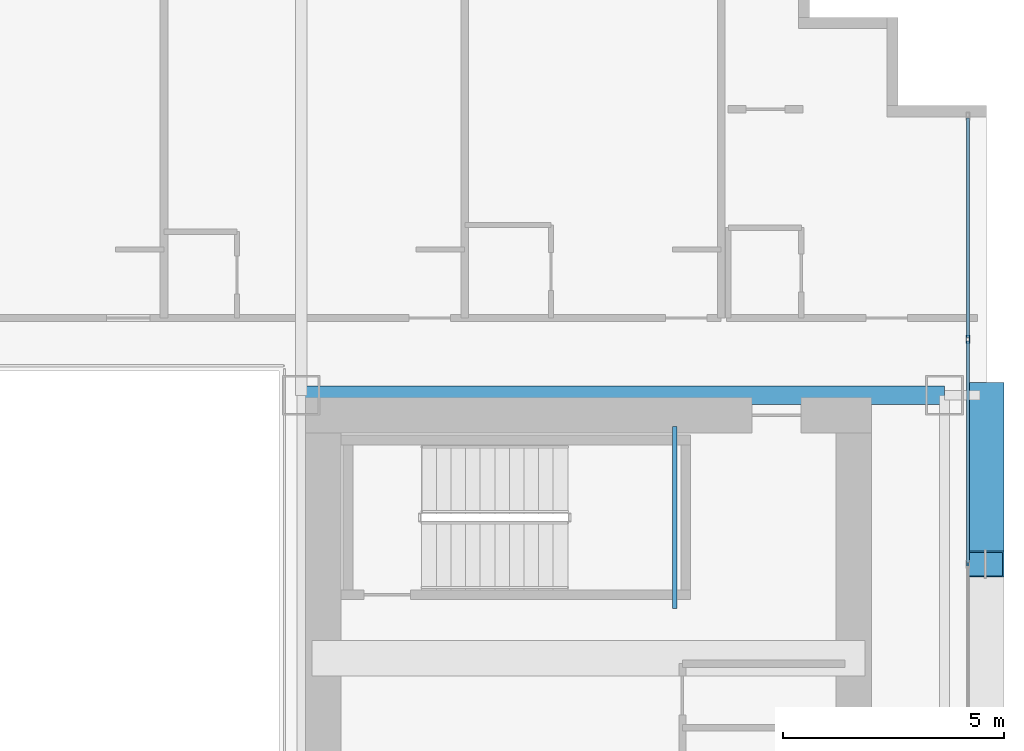
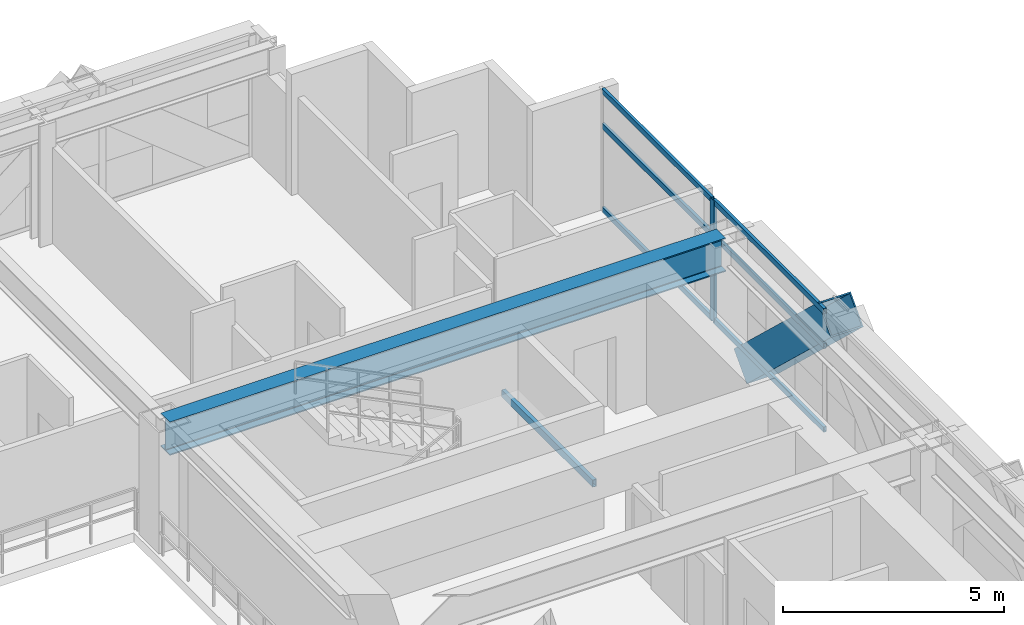
# One storey, part 20 of 35: 8 members, 2 beams, 1 element without a shape of its own.
"""IFC4 building model written with IfcOpenShell, lengths in metres."""

from ifc_helpers import new_model, si_unit, direction, frame, origin, origin_2d, place, context, subcontext, project, spatial, hollow_rectangle, i_section, extrude, source, transform, mapped, material, layer, layer_set, material_profile, profile_set, type_object, element, aggregate, save


model = new_model("IFC4")

# Units and contexts
model_context = context("Model", 3, precision=1e-05, world=origin(), true_north=direction((0.0, 1.0)))
body_context = subcontext(model_context, "Body", "Model", "MODEL_VIEW")
ifc_project = project(units=[si_unit("LENGTHUNIT", "METRE"), si_unit("AREAUNIT", "SQUARE_METRE"), si_unit("VOLUMEUNIT", "CUBIC_METRE"), si_unit("PLANEANGLEUNIT", "RADIAN"), si_unit("MASSUNIT", "GRAM", prefix="KILO")], contexts=[model_context])

# Site, building, storey
site_placement = place(None, origin())
site = spatial("IfcSite", under=ifc_project, at=site_placement, CompositionType="ELEMENT")
building_placement = place(site_placement, origin())
building = spatial("IfcBuilding", under=site, at=building_placement, Name="Ocotamira Hotel", CompositionType="ELEMENT")
storey_placement = place(building_placement, frame((0.0, 0.0, 63.60009765625)))
storey = spatial("IfcBuildingStorey", under=building, at=storey_placement, Name="L15", CompositionType="ELEMENT", Elevation=63.60009765625)

# Beams
ifc_material_1 = material(Name="Steel ASTM A500 Grade C", Category="steel")
ifc_material_profile_1 = material_profile(ifc_material_1, hollow_rectangle(XDim=0.10009765625, YDim=0.199951171875, WallThickness=0.008056640625, at=origin_2d()), Name="HSS200X100X8")
ifc_profile_set_1 = profile_set([ifc_material_profile_1], Name="Steel ASTM A500 Grade C")
beam_type_1 = type_object("IfcBeamType", Name="BM-STLDG-HSS200", PredefinedType="BEAM", material=ifc_profile_set_1)
shared_shape_1 = source(origin(), body_context, "Body", "SweptSolid", [
    extrude(hollow_rectangle(XDim=0.10009765625, YDim=0.199951171875, WallThickness=0.008056640625, at=origin_2d()), origin(), (0.0, 0.0, 1.0), 4.1201171875),
])
beam_1_placement = place(storey_placement, frame((48.949951171875, 32.6298828125, 1.5), z_axis=(0.0, 1.0, 0.0), x_axis=(-1.0, 0.0, 0.0)))
element("IfcBeam", 1, at=beam_1_placement, inside=storey, type_object=beam_type_1, Name="L15 Stair ST-4 Landing Bearer 1", PredefinedType="BEAM", context=body_context, shape_type="MappedRepresentation", body=[
    mapped(shared_shape_1, transform((0.0, 0.0, 0.0), scale=1.0)),
])
ifc_material_2 = material(Name="Steel ASTM A992 Grade 50", Category="steel")
ifc_material_profile_2 = material_profile(ifc_material_2, i_section(OverallWidth=0.41796875, OverallDepth=0.927001953125, WebThickness=0.019287109375, FlangeThickness=0.031982421875, FilletRadius=0.02392578125, at=origin_2d()), Name="W36X231")
ifc_profile_set_2 = profile_set([ifc_material_profile_2], Name="Steel ASTM A992 Grade 50")
beam_type_2 = type_object("IfcBeamType", Name="BM-GIRD-W36X231", PredefinedType="BEAM", material=ifc_profile_set_2)
shared_shape_2 = source(origin(), body_context, "Body", "SweptSolid", [
    extrude(i_section(OverallWidth=0.41796875, OverallDepth=0.927001953125, WebThickness=0.019287109375, FlangeThickness=0.031982421875, FilletRadius=0.02392578125, at=origin_2d()), origin(), (0.0, 0.0, 1.0), 14.550048828125),
])
beam_2_placement = place(storey_placement, frame((40.5, 37.449951171875, 2.886474609375), z_axis=(1.0, 0.0, 0.0), x_axis=(0.0, 1.0, 0.0)))
element("IfcBeam", 2, at=beam_2_placement, inside=storey, type_object=beam_type_2, Name="L15 Girder Y37.45 X40.5-55.05", PredefinedType="BEAM", context=body_context, shape_type="MappedRepresentation", body=[
    mapped(shared_shape_2, transform((0.0, 0.0, 0.0), scale=1.0)),
])

# Member
ifc_material_3 = material(Name="Pale-metal coated steel ASTM A913 Grade 65", Category="steel")
ifc_material_profile_3 = material_profile(ifc_material_3, hollow_rectangle(XDim=0.85009765625, YDim=0.85009765625, WallThickness=0.035888671875, at=origin_2d()), Name="BOX850X850X36")
ifc_profile_set_3 = profile_set([ifc_material_profile_3], Name="Pale-metal coated steel ASTM A913 Grade 65")
member_type_1 = type_object("IfcMemberType", Name="MEM-EXO-BOX850", PredefinedType="BRACE", material=ifc_profile_set_3)
shared_shape_3 = source(origin(), body_context, "Body", "SweptSolid", [
    extrude(hollow_rectangle(XDim=0.85009765625, YDim=0.85009765625, WallThickness=0.035888671875, at=origin_2d()), origin(), (0.0, 0.0, 1.0), 5.24658203125),
])
member_1_placement = place(storey_placement, frame((55.969970703125, 37.449951171875, -0.5), z_axis=(0.0, -0.72746596067, 0.686143772154), x_axis=(1.0, 0.0, 0.0)))
element("IfcMember", 3, at=member_1_placement, inside=storey, type_object=member_type_1, Name="L15 Exoskeleton Diagrid E2.2", PredefinedType="BRACE", context=body_context, shape_type="MappedRepresentation", body=[
    mapped(shared_shape_3, transform((0.0, 0.0, 0.0), scale=1.0)),
])

# Curtain wall, members
ifc_material_4 = material(Name="Anodised pale-metal aluminium and solar glass", Category="aluminium")
ifc_layer = layer(ifc_material_4, 0.179931640625)
ifc_layer_set = layer_set([ifc_layer], Name="Anodised pale-metal aluminium and solar glass")
curtain_wall_type = type_object("IfcCurtainWallType", Name="CW-SYS2-Z1", PredefinedType="NOTDEFINED", material=ifc_layer_set)
curtain_wall_placement = place(storey_placement, origin())
curtain_wall = element("IfcCurtainWall", 4, at=curtain_wall_placement, inside=storey, type_object=curtain_wall_type, Name="L15 Curtain Wall CW-2 CW-L15-E", PredefinedType="NOTDEFINED")
ifc_material_5 = material(Name="Anodised pale-metal aluminium 6063-T6", Category="aluminium")
ifc_material_profile_4 = material_profile(ifc_material_5, hollow_rectangle(XDim=0.080078125, YDim=0.179931640625, WallThickness=0.006103515625, at=origin_2d()), Name="HSS180X80X6")
ifc_profile_set_4 = profile_set([ifc_material_profile_4], Name="Anodised pale-metal aluminium 6063-T6")
member_type_2 = type_object("IfcMemberType", Name="CWM-180X75", PredefinedType="MULLION", material=ifc_profile_set_4)
shared_shape_4 = source(origin(), body_context, "Body", "SweptSolid", [
    extrude(hollow_rectangle(XDim=0.080078125, YDim=0.179931640625, WallThickness=0.006103515625, at=origin_2d()), origin(), (0.0, 0.0, 1.0), 3.349853515625),
])
member_2_placement = place(storey_placement, frame((55.580078125, 38.71435546875, 0.0), z_axis=(0.0, 0.0, 1.0), x_axis=(-1.0, 0.0, 0.0)))
member_2 = element("IfcMember", 5, at=member_2_placement, type_object=member_type_2, Name="CW-2 mullion 7", PredefinedType="MULLION", context=body_context, shape_type="MappedRepresentation", body=[
    mapped(shared_shape_4, transform((0.0, 0.0, 0.0), scale=1.0)),
])
ifc_material_profile_5 = material_profile(ifc_material_5, hollow_rectangle(XDim=0.074951171875, YDim=0.14990234375, WallThickness=0.006103515625, at=origin_2d()), Name="HSS150X75X6")
ifc_profile_set_5 = profile_set([ifc_material_profile_5], Name="Anodised pale-metal aluminium 6063-T6")
member_type_3 = type_object("IfcMemberType", Name="CWT-150X75", PredefinedType="USERDEFINED", material=ifc_profile_set_5)
shared_shape_5 = source(origin(), body_context, "Body", "SweptSolid", [
    extrude(hollow_rectangle(XDim=0.074951171875, YDim=0.14990234375, WallThickness=0.006103515625, at=origin_2d()), origin(), (0.0, 0.0, 1.0), 4.965576171875),
])
member_3_placement = place(storey_placement, frame((55.580078125, 38.75439453125, 0.037353515625), z_axis=(0.0, 1.0, 0.0), x_axis=(-1.0, 0.0, 0.0)))
member_3 = element("IfcMember", 6, at=member_3_placement, type_object=member_type_3, Name="CW-2 transom 7.1", ObjectType="TRANSOM", PredefinedType="USERDEFINED", context=body_context, shape_type="MappedRepresentation", body=[
    mapped(shared_shape_5, transform((0.0, 0.0, 0.0), scale=1.0)),
])
member_4_placement = place(storey_placement, frame((55.580078125, 38.75439453125, 2.349853515625), z_axis=(0.0, 1.0, 0.0), x_axis=(-1.0, 0.0, 0.0)))
member_4 = element("IfcMember", 7, at=member_4_placement, type_object=member_type_3, Name="CW-2 transom 7.2", ObjectType="TRANSOM", PredefinedType="USERDEFINED", context=body_context, shape_type="MappedRepresentation", body=[
    mapped(shared_shape_5, transform((0.0, 0.0, 0.0), scale=1.0)),
])
member_5_placement = place(storey_placement, frame((55.580078125, 38.75439453125, 3.3125), z_axis=(0.0, 1.0, 0.0), x_axis=(-1.0, 0.0, 0.0)))
member_5 = element("IfcMember", 8, at=member_5_placement, type_object=member_type_3, Name="CW-2 transom 7.3", ObjectType="TRANSOM", PredefinedType="USERDEFINED", context=body_context, shape_type="MappedRepresentation", body=[
    mapped(shared_shape_5, transform((0.0, 0.0, 0.0), scale=1.0)),
])
shared_shape_6 = source(origin(), body_context, "Body", "SweptSolid", [
    extrude(hollow_rectangle(XDim=0.074951171875, YDim=0.14990234375, WallThickness=0.006103515625, at=origin_2d()), origin(), (0.0, 0.0, 1.0), 5.005859375),
])
member_6_placement = place(storey_placement, frame((55.580078125, 33.66845703125, 0.037353515625), z_axis=(0.0, 1.0, 0.0), x_axis=(-1.0, 0.0, 0.0)))
member_6 = element("IfcMember", 9, at=member_6_placement, type_object=member_type_3, Name="CW-2 transom 6.1", ObjectType="TRANSOM", PredefinedType="USERDEFINED", context=body_context, shape_type="MappedRepresentation", body=[
    mapped(shared_shape_6, transform((0.0, 0.0, 0.0), scale=1.0)),
])
member_7_placement = place(storey_placement, frame((55.580078125, 33.66845703125, 2.349853515625), z_axis=(0.0, 1.0, 0.0), x_axis=(-1.0, 0.0, 0.0)))
member_7 = element("IfcMember", 10, at=member_7_placement, type_object=member_type_3, Name="CW-2 transom 6.2", ObjectType="TRANSOM", PredefinedType="USERDEFINED", context=body_context, shape_type="MappedRepresentation", body=[
    mapped(shared_shape_6, transform((0.0, 0.0, 0.0), scale=1.0)),
])
member_8_placement = place(storey_placement, frame((55.580078125, 33.66845703125, 3.3125), z_axis=(0.0, 1.0, 0.0), x_axis=(-1.0, 0.0, 0.0)))
member_8 = element("IfcMember", 11, at=member_8_placement, type_object=member_type_3, Name="CW-2 transom 6.3", ObjectType="TRANSOM", PredefinedType="USERDEFINED", context=body_context, shape_type="MappedRepresentation", body=[
    mapped(shared_shape_6, transform((0.0, 0.0, 0.0), scale=1.0)),
])
aggregate(curtain_wall, [member_2, member_6, member_7, member_8, member_3, member_4, member_5])

save(model, "model.ifc")
